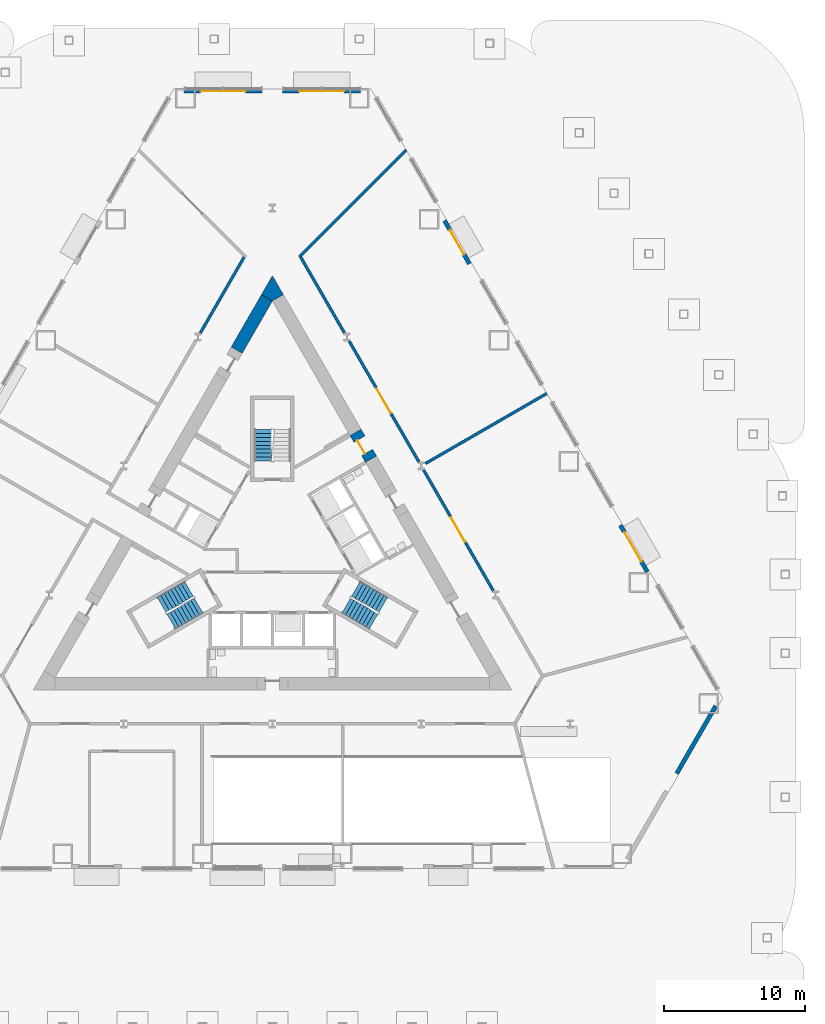
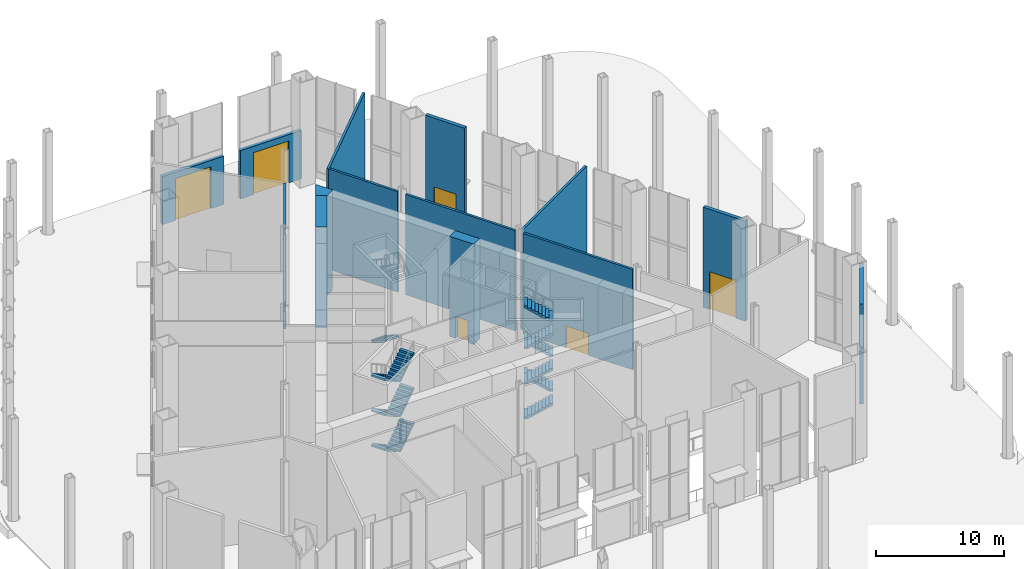
# One storey, part 13 of 18: 14 walls, 13 stair flights, 7 doors, 7 openings, 3 elements without a shape of their own.
"""IFC4 building model written with IfcOpenShell, lengths in metres."""

import ifcopenshell
import ifcopenshell.guid

model = None  # the IFC model being written
_history = None  # IfcOwnerHistory: only IFC2X3 demands one
_inside = {}  # id of a spatial element -> (the spatial element, [elements in it])
_under = {}  # id of a project, library or spatial element -> (it, [spatial elements below it])
_declared = {}  # id of a project -> (the project, [libraries it declares])
_typed = {}  # id of a type object -> (the type object, [elements of that type])
_made_of = {}  # id of a material, layer set ... -> (it, [elements and type objects made of it])


def new_model(schema):
    """Start an empty IFC model of exactly this schema.

    Asked for "IFC4X3", IfcOpenShell would pick the latest addendum, in which some entities
    have other attributes; the version numbers below select the first issue.
    IFC2X3 requires an IfcOwnerHistory on every rooted entity: one is made here for all.
    """
    global model, _history
    if schema == "IFC4X3":
        model = ifcopenshell.file(schema_version=(4, 3, 0, 0))
    else:
        model = ifcopenshell.file(schema=schema)
    _inside.clear()
    _under.clear()
    _declared.clear()
    _typed.clear()
    _made_of.clear()
    _history = None
    if model.schema == "IFC2X3":
        org = make("IfcOrganization", Name="unknown")
        user = make(
            "IfcPersonAndOrganization",
            ThePerson=make("IfcPerson", FamilyName="unknown"),
            TheOrganization=org,
        )
        app = make(
            "IfcApplication",
            ApplicationDeveloper=org,
            Version="unknown",
            ApplicationFullName="unknown",
            ApplicationIdentifier="unknown",
        )
        _history = make(
            "IfcOwnerHistory",
            OwningUser=user,
            OwningApplication=app,
            ChangeAction="ADDED",
            CreationDate=0,
        )
    return model


def make(cls, **values):
    """One entity of the class cls with the attributes given. An attribute that is None is left unset."""
    return model.create_entity(
        cls, **{name: value for name, value in values.items() if value is not None}
    )


def rooted(cls, **values):
    """An entity with a GlobalId (a new one), such as an element, a storey or a relation."""
    return make(cls, GlobalId=ifcopenshell.guid.new(), OwnerHistory=_history, **values)


def si_unit(unit_type, name, prefix=None):
    """IfcSIUnit, for example si_unit("LENGTHUNIT", "METRE", prefix="MILLI")."""
    return make("IfcSIUnit", UnitType=unit_type, Prefix=prefix, Name=name)


def assignment(units):
    """IfcUnitAssignment: the units of a project."""
    return None if units is None else make("IfcUnitAssignment", Units=units)


def point(xyz):
    """IfcCartesianPoint."""
    return None if xyz is None else make("IfcCartesianPoint", Coordinates=xyz)


def direction(xyz):
    """IfcDirection."""
    return None if xyz is None else make("IfcDirection", DirectionRatios=xyz)


def frame(location, z_axis=None, x_axis=None):
    """IfcAxis2Placement3D, a coordinate frame: its origin and axes. An axis left out is left unset."""
    return make(
        "IfcAxis2Placement3D",
        Location=point(location),
        Axis=direction(z_axis),
        RefDirection=direction(x_axis),
    )


def frame_2d(location, x_axis=None):
    """IfcAxis2Placement2D, a coordinate frame in the plane: its origin and x axis."""
    return make(
        "IfcAxis2Placement2D", Location=point(location), RefDirection=direction(x_axis)
    )


def origin():
    """The frame at (0, 0, 0) with its axes left unset."""
    return frame((0.0, 0.0, 0.0))


def place(relative_to, where):
    """IfcLocalPlacement: puts the frame where relative to a parent placement (None: the world)."""
    return make(
        "IfcLocalPlacement", PlacementRelTo=relative_to, RelativePlacement=where
    )


def context(
    kind, dimensions, precision=None, world=None, true_north=None, identifier=None
):
    """IfcGeometricRepresentationContext, for example the 3D "Model" context."""
    return make(
        "IfcGeometricRepresentationContext",
        ContextIdentifier=identifier,
        ContextType=kind,
        CoordinateSpaceDimension=dimensions,
        Precision=precision,
        WorldCoordinateSystem=world,
        TrueNorth=true_north,
    )


def subcontext(parent, identifier, kind, view, scale=None):
    """IfcGeometricRepresentationSubContext, for example "Body" below "Model"."""
    return make(
        "IfcGeometricRepresentationSubContext",
        ContextIdentifier=identifier,
        ContextType=kind,
        ParentContext=parent,
        TargetScale=scale,
        TargetView=view,
    )


def project(units=None, contexts=None):
    """IfcProject with its units and contexts."""
    return rooted(
        "IfcProject",
        Name="project",
        RepresentationContexts=contexts,
        UnitsInContext=assignment(units),
    )


def spatial(cls, under=None, at=None, **own):
    """A site, building, storey or space (cls), placed at a placement, below another one or the project."""
    s = rooted(cls, ObjectPlacement=at, **own)
    if under is not None:
        _under.setdefault(under.id(), (under, []))[1].append(s)
    return s


def polyline(points):
    """IfcPolyline through the points."""
    return make("IfcPolyline", Points=[point(p) for p in points])


def profile(cls, at=None, kind="AREA", **sizes):
    """A parametric profile (cls). Its sizes go by their IFC names, for example OverallWidth=200.0."""
    return make(cls, ProfileType=kind, Position=at, **sizes)


def rectangle(**sizes):
    """IfcRectangleProfileDef."""
    return profile("IfcRectangleProfileDef", **sizes)


def outline(outer, holes=None, kind="AREA"):
    """IfcArbitraryClosedProfileDef: a profile drawn as a closed curve; with holes, ...WithVoids."""
    if holes is None:
        return make("IfcArbitraryClosedProfileDef", ProfileType=kind, OuterCurve=outer)
    return make(
        "IfcArbitraryProfileDefWithVoids",
        ProfileType=kind,
        OuterCurve=outer,
        InnerCurves=holes,
    )


def extrude(swept, where, along, depth):
    """IfcExtrudedAreaSolid: the profile swept, set in the frame where, extruded along a direction by depth."""
    return make(
        "IfcExtrudedAreaSolid",
        SweptArea=swept,
        Position=where,
        ExtrudedDirection=direction(along),
        Depth=depth,
    )


def shape(context_of_items, identifier, shape_type, items):
    """IfcShapeRepresentation: the items that make up one representation, for example the "Body"."""
    return make(
        "IfcShapeRepresentation",
        ContextOfItems=context_of_items,
        RepresentationIdentifier=identifier,
        RepresentationType=shape_type,
        Items=items,
    )


def material(Name=None, Category=None):
    """IfcMaterial."""
    return make("IfcMaterial", Name=Name, Category=Category)


def layer(
    of_material, thickness, ventilated=None, Name=None, Category=None, Priority=None
):
    """IfcMaterialLayer: one layer of a wall or slab, of a material (None: an air gap)."""
    return make(
        "IfcMaterialLayer",
        Material=of_material,
        LayerThickness=thickness,
        IsVentilated=ventilated,
        Name=Name,
        Category=Category,
        Priority=Priority,
    )


def layer_set(layers, Name=None):
    """IfcMaterialLayerSet."""
    return make("IfcMaterialLayerSet", MaterialLayers=layers, LayerSetName=Name)


def made_of(thing, what):
    """Note that an element or type object is made of a material, layer set ...; save() writes the relation."""
    if what is not None:
        _made_of.setdefault(what.id(), (what, []))[1].append(thing)
    return thing


def type_object(cls, material=None, **own):
    """A type object (cls), such as IfcWallType, which elements share."""
    return made_of(rooted(cls, **own), material)


def element(
    cls,
    number,
    at=None,
    inside=None,
    cuts=None,
    type_object=None,
    material=None,
    context=None,
    identifier="Body",
    shape_type=None,
    held_by="IfcProductDefinitionShape",
    body=None,
    shapes=None,
    **own,
):
    """One element of the class cls, such as IfcWall. Its Tag is "e" and its number.

    at: its placement. inside: the storey or other place that contains it. cuts: it is an
    opening in that element (IfcRelVoidsElement). A single representation is given by context,
    identifier, shape_type and body (its items); several are given by shapes. held_by: the class
    of the entity that holds the representations. save() writes the other relations.
    """
    e = rooted(cls, Tag="e%d" % number, ObjectPlacement=at, **own)
    if body is not None:
        shapes = [shape(context, identifier, shape_type, body)]
    if shapes is not None:
        e.Representation = make(held_by, Representations=shapes)
    if inside is not None:
        _inside.setdefault(inside.id(), (inside, []))[1].append(e)
    if cuts is not None:
        rooted(
            "IfcRelVoidsElement", RelatingBuildingElement=cuts, RelatedOpeningElement=e
        )
    if type_object is not None:
        _typed.setdefault(type_object.id(), (type_object, []))[1].append(e)
    return made_of(e, material)


def fill(opening, filler):
    """IfcRelFillsElement: the door or window that sits in an opening."""
    return rooted(
        "IfcRelFillsElement",
        RelatingOpeningElement=opening,
        RelatedBuildingElement=filler,
    )


def aggregate(whole, parts):
    """IfcRelAggregates: a whole, such as a stair, and the parts it consists of."""
    return rooted("IfcRelAggregates", RelatingObject=whole, RelatedObjects=parts)


def save(model, path):
    """Write the relations noted so far, then the file.

    IfcRelAggregates (storeys below a building ...), IfcRelContainedInSpatialStructure (elements
    in a storey), IfcRelDefinesByType, IfcRelAssociatesMaterial and IfcRelDeclares: one each for
    every whole, place, type object, material and project.
    """
    for whole, parts in _under.values():
        aggregate(whole, parts)
    for where, things in _inside.values():
        rooted(
            "IfcRelContainedInSpatialStructure",
            RelatedElements=things,
            RelatingStructure=where,
        )
    for kind, things in _typed.values():
        rooted("IfcRelDefinesByType", RelatedObjects=things, RelatingType=kind)
    for what, things in _made_of.values():
        rooted("IfcRelAssociatesMaterial", RelatedObjects=things, RelatingMaterial=what)
    for by, libraries in _declared.values():
        rooted("IfcRelDeclares", RelatingContext=by, RelatedDefinitions=libraries)
    model.write(path)


model = new_model("IFC4")

# Units and contexts
model_context = context("Model", 3, precision=1e-05, world=origin(), true_north=direction((0.0, 1.0)))
body_context = subcontext(model_context, "Body", "Model", "MODEL_VIEW")
ifc_project = project(units=[si_unit("LENGTHUNIT", "METRE"), si_unit("AREAUNIT", "SQUARE_METRE"), si_unit("VOLUMEUNIT", "CUBIC_METRE"), si_unit("PLANEANGLEUNIT", "RADIAN"), si_unit("MASSUNIT", "GRAM", prefix="KILO")], contexts=[model_context])

# Site, building, storey
site_placement = place(None, origin())
site = spatial("IfcSite", under=ifc_project, at=site_placement, CompositionType="ELEMENT")
building_placement = place(site_placement, origin())
building = spatial("IfcBuilding", under=site, at=building_placement, Name="Cormorant Prow Tower", CompositionType="ELEMENT")
storey_placement = place(building_placement, origin())
storey = spatial("IfcBuildingStorey", under=building, at=storey_placement, Name="L00", CompositionType="ELEMENT", Elevation=0.0)

# Walls
ifc_material_1 = material(Name="Concrete 8000 psi", Category="concrete")
ifc_layer_1 = layer(ifc_material_1, 0.89990234375)
ifc_layer_set_1 = layer_set([ifc_layer_1], Name="Concrete 8000 psi")
wall_type_1 = type_object("IfcWallType", Name="Core shear wall 900", PredefinedType="SHEAR", material=ifc_layer_set_1)
wall_1_placement = place(storey_placement, frame((-0.3896484375, 18.054931640625, 0.0), z_axis=(0.0, 0.0, 1.0), x_axis=(-0.500014347272, -0.866017120224, 0.0)))
element("IfcWall", 1, at=wall_1_placement, inside=storey, type_object=wall_type_1, Name="Core wall", PredefinedType="SHEAR", context=body_context, shape_type="SweptSolid", body=[
    extrude(rectangle(XDim=4.295654296875, YDim=0.89990234375, at=frame_2d((2.14794921875, 0.0))), origin(), (0.0, 0.0, 1.0), 9.550048828125),
])
wall_2_placement = place(storey_placement, origin())
element("IfcWall", 2, at=wall_2_placement, inside=storey, type_object=wall_type_1, Name="Core wall corner", PredefinedType="SHEAR", context=body_context, shape_type="SweptSolid", body=[
    extrude(outline(polyline([(-0.779296875, 18.27978515625), (0.0, 19.6298828125), (0.779296875, 18.27978515625), (0.0, 17.829833984375), (-0.779296875, 18.27978515625)])), origin(), (0.0, 0.0, 1.0), 9.550048828125),
])

# Wall, opening, door
wall_3_placement = place(storey_placement, frame((7.01025390625, 6.587646484375, 0.0), z_axis=(0.0, 0.0, 1.0), x_axis=(-0.499946605688, 0.86605622881, 0.0)))
wall_3 = element("IfcWall", 3, at=wall_3_placement, inside=storey, type_object=wall_type_1, Name="Core wall door panel", PredefinedType="SHEAR", context=body_context, shape_type="SweptSolid", body=[
    extrude(rectangle(XDim=2.199951171875, YDim=0.89990234375, at=frame_2d((1.10009765625, 0.0))), origin(), (0.0, 0.0, 1.0), 9.550048828125),
])
opening_1_placement = place(wall_3_placement, frame((0.550048828125, 0.0, 0.0)))
opening_1 = element("IfcOpeningElement", 4, at=opening_1_placement, cuts=wall_3, Name="Opening L00-C22", PredefinedType="OPENING", context=body_context, shape_type="SweptSolid", body=[
    extrude(rectangle(XDim=1.10009765625, YDim=2.10009765625, at=frame_2d((0.550048828125, 1.050048828125))), frame((0.0, 0.4599609375, 0.0), z_axis=(0.0, -1.0, 0.0), x_axis=(1.0, 0.0, 0.0)), (0.0, 0.0, 1.0), 0.919921875),
])
ifc_material_2 = material(Name="Painted steel", Category="steel")
door_type_1 = type_object("IfcDoorType", Name="Core door 1100x2100", OperationType="NOTDEFINED", PredefinedType="DOOR", material=ifc_material_2)
door_1_placement = place(opening_1_placement, origin())
door_1 = element("IfcDoor", 5, at=door_1_placement, inside=storey, type_object=door_type_1, Name="Core door, lift lobby", OperationType="SINGLE_SWING_RIGHT", OverallHeight=2.10009765625, OverallWidth=1.10009765625, PredefinedType="DOOR", context=body_context, shape_type="SweptSolid", body=[
    extrude(rectangle(XDim=1.10009765625, YDim=2.10009765625, at=frame_2d((0.550048828125, 1.050048828125))), frame((0.0, 0.205078125, 0.0), z_axis=(0.0, -1.0, 0.0), x_axis=(1.0, 0.0, 0.0)), (0.0, 0.0, 1.0), 0.050048828125),
])
fill(opening_1, door_1)

# Wall
ifc_material_3 = material(Name="Gypsum board corridor wall")
ifc_layer_2 = layer(ifc_material_3, 0.199951171875)
ifc_layer_set_2 = layer_set([ifc_layer_2], Name="Gypsum board corridor wall")
wall_type_2 = type_object("IfcWallType", Name="Corridor wall 200", PredefinedType="PARTITIONING", material=ifc_layer_set_2)
wall_4_placement = place(storey_placement, frame((1.892333984375, 20.959228515625, 0.0), z_axis=(0.0, 0.0, 1.0), x_axis=(0.707390242945, 0.706823205749, 0.0)))
element("IfcWall", 6, at=wall_4_placement, inside=storey, type_object=wall_type_2, Name="Corridor wall", PredefinedType="PARTITIONING", context=body_context, shape_type="SweptSolid", body=[
    extrude(rectangle(XDim=10.763916015625, YDim=0.199951171875, at=frame_2d((5.3818359375, 0.0))), origin(), (0.0, 0.0, 1.0), 9.550048828125),
])

# Wall, opening, door
wall_5_placement = place(storey_placement, frame((10.74853515625, 5.812744140625, 0.0), z_axis=(0.0, 0.0, 1.0), x_axis=(0.500004292778, -0.866022925334, 0.0)))
wall_5 = element("IfcWall", 7, at=wall_5_placement, inside=storey, type_object=wall_type_2, Name="Corridor wall", PredefinedType="PARTITIONING", context=body_context, shape_type="SweptSolid", body=[
    extrude(rectangle(XDim=9.89794921875, YDim=0.199951171875, at=frame_2d((4.948974609375, 0.0))), origin(), (0.0, 0.0, 1.0), 9.550048828125),
])
opening_2_placement = place(wall_5_placement, frame((3.898193359375, 0.0, 0.0)))
opening_2 = element("IfcOpeningElement", 8, at=opening_2_placement, cuts=wall_5, Name="Opening L00-F05", PredefinedType="OPENING", context=body_context, shape_type="SweptSolid", body=[
    extrude(rectangle(XDim=2.0, YDim=2.10009765625, at=frame_2d((1.0, 1.050048828125))), frame((0.0, 0.10986328125, 0.0), z_axis=(0.0, -1.0, 0.0), x_axis=(1.0, 0.0, 0.0)), (0.0, 0.0, 1.0), 0.219970703125),
])
ifc_material_4 = material(Name="Glazed aluminium door", Category="aluminium")
door_type_2 = type_object("IfcDoorType", Name="Glazed double door 2000x2100", OperationType="DOUBLE_DOOR_SINGLE_SWING", PredefinedType="DOOR", material=ifc_material_4)
door_2_placement = place(opening_2_placement, origin())
door_2 = element("IfcDoor", 9, at=door_2_placement, inside=storey, type_object=door_type_2, Name="Retail unit door", OperationType="DOUBLE_DOOR_SINGLE_SWING", OverallHeight=2.10009765625, OverallWidth=2.0, PredefinedType="DOOR", context=body_context, shape_type="SweptSolid", body=[
    extrude(rectangle(XDim=2.0, YDim=2.10009765625, at=frame_2d((1.0, 1.050048828125))), frame((0.0, 0.02490234375, 0.0), z_axis=(0.0, -1.0, 0.0), x_axis=(1.0, 0.0, 0.0)), (0.0, 0.0, 1.0), 0.050048828125),
])
fill(opening_2, door_2)

wall_6_placement = place(storey_placement, frame((5.45947265625, 14.973876953125, 0.0), z_axis=(0.0, 0.0, 1.0), x_axis=(0.499985793049, -0.866033606016, 0.0)))
wall_6 = element("IfcWall", 10, at=wall_6_placement, inside=storey, type_object=wall_type_2, Name="Corridor wall", PredefinedType="PARTITIONING", context=body_context, shape_type="SweptSolid", body=[
    extrude(rectangle(XDim=9.897705078125, YDim=0.199951171875, at=frame_2d((4.94873046875, 0.0))), origin(), (0.0, 0.0, 1.0), 9.550048828125),
])
opening_3_placement = place(wall_6_placement, frame((3.898193359375, 0.0, 0.0)))
opening_3 = element("IfcOpeningElement", 11, at=opening_3_placement, cuts=wall_6, Name="Opening L00-F06", PredefinedType="OPENING", context=body_context, shape_type="SweptSolid", body=[
    extrude(rectangle(XDim=2.0, YDim=2.10009765625, at=frame_2d((1.0, 1.050048828125))), frame((0.0, 0.10986328125, 0.0), z_axis=(0.0, -1.0, 0.0), x_axis=(1.0, 0.0, 0.0)), (0.0, 0.0, 1.0), 0.219970703125),
])
door_3_placement = place(opening_3_placement, origin())
door_3 = element("IfcDoor", 12, at=door_3_placement, inside=storey, type_object=door_type_2, Name="Retail unit door", OperationType="DOUBLE_DOOR_SINGLE_SWING", OverallHeight=2.10009765625, OverallWidth=2.0, PredefinedType="DOOR", context=body_context, shape_type="SweptSolid", body=[
    extrude(rectangle(XDim=2.0, YDim=2.10009765625, at=frame_2d((1.0, 1.050048828125))), frame((0.0, 0.02490234375, 0.0), z_axis=(0.0, -1.0, 0.0), x_axis=(1.0, 0.0, 0.0)), (0.0, 0.0, 1.0), 0.050048828125),
])
fill(opening_3, door_3)

# Walls
for number, where, z_axis, x_axis, name in (
    (13, (-5.119140625, 15.5634765625, 0.0), (0.0, 0.0, 1.0), (0.500015016532, 0.866016733812, 0.0), "Corridor wall"),
    (14, (2.012939453125, 20.943359375, 0.0), (0.0, 0.0, 1.0), (0.500015016532, -0.866016733812, 0.0), "Corridor wall"),
):
    element("IfcWall", number, at=place(storey_placement, frame(where, z_axis=z_axis, x_axis=x_axis)), inside=storey, type_object=wall_type_2, Name=name, PredefinedType="PARTITIONING", context=body_context, shape_type="SweptSolid", body=[
        extrude(rectangle(XDim=6.212158203125, YDim=0.199951171875, at=frame_2d((3.10595703125, 0.0))), origin(), (0.0, 0.0, 1.0), 9.550048828125),
    ])
ifc_material_5 = material(Name="Gypsum board demising wall")
ifc_layer_3 = layer(ifc_material_5, 0.199951171875)
ifc_layer_set_3 = layer_set([ifc_layer_3], Name="Gypsum board demising wall")
wall_type_3 = type_object("IfcWallType", Name="Demising wall 200", PredefinedType="PARTITIONING", material=ifc_layer_set_3)
wall_7_placement = place(storey_placement, frame((10.873291015625, 6.277587890625, 0.0), z_axis=(0.0, 0.0, 1.0), x_axis=(0.866021920282, 0.500006033555, 0.0)))
element("IfcWall", 15, at=wall_7_placement, inside=storey, type_object=wall_type_3, Name="Demising wall", PredefinedType="PARTITIONING", context=body_context, shape_type="SweptSolid", body=[
    extrude(rectangle(XDim=9.96142578125, YDim=0.199951171875, at=frame_2d((4.980712890625, 0.0))), origin(), (0.0, 0.0, 1.0), 9.550048828125),
])
ifc_material_6 = material(Name="Terracotta", Category="masonry")
ifc_layer_4 = layer(ifc_material_6, 0.300048828125)
ifc_layer_set_4 = layer_set([ifc_layer_4], Name="Terracotta")
wall_type_4 = type_object("IfcWallType", Name="Terracotta portal wall 300", PredefinedType="SOLIDWALL", material=ifc_layer_set_4)
wall_8_placement = place(storey_placement, frame((28.735107421875, -15.747314453125, 0.0), z_axis=(0.0, 0.0, 1.0), x_axis=(0.499997108352, 0.866027073272, 0.0)))
element("IfcWall", 16, at=wall_8_placement, inside=storey, type_object=wall_type_4, Name="Terracotta corner wall ESE01", PredefinedType="SOLIDWALL", context=body_context, shape_type="SweptSolid", body=[
    extrude(rectangle(XDim=5.5400390625, YDim=0.300048828125, at=frame_2d((2.77001953125, 0.0))), origin(), (0.0, 0.0, 1.0), 9.550048828125),
])

# Wall, opening, door
wall_9_placement = place(storey_placement, frame((24.735107421875, 1.890869140625, 0.0), z_axis=(0.0, 0.0, 1.0), x_axis=(0.499973637274, -0.866040623776, 0.0)))
wall_9 = element("IfcWall", 17, at=wall_9_placement, inside=storey, type_object=wall_type_4, Name="Terracotta entrance wall ENE02", PredefinedType="SOLIDWALL", context=body_context, shape_type="SweptSolid", body=[
    extrude(rectangle(XDim=3.814208984375, YDim=0.300048828125, at=frame_2d((1.9072265625, 0.0))), origin(), (0.0, 0.0, 1.0), 9.550048828125),
])
opening_4_placement = place(wall_9_placement, frame((0.570068359375, 0.0, 0.0)))
opening_4 = element("IfcOpeningElement", 18, at=opening_4_placement, cuts=wall_9, Name="Opening ED00.06", PredefinedType="OPENING", context=body_context, shape_type="SweptSolid", body=[
    extrude(rectangle(XDim=2.39990234375, YDim=3.60009765625, at=frame_2d((1.199951171875, 1.800048828125))), frame((0.0, 0.159912109375, 0.0), z_axis=(0.0, -1.0, 0.0), x_axis=(1.0, 0.0, 0.0)), (0.0, 0.0, 1.0), 0.320068359375),
])
ifc_material_7 = material(Name="Aluminium 6063-T6", Category="aluminium")
door_type_3 = type_object("IfcDoorType", Name="Entrance door 2400x3600", OperationType="DOUBLE_DOOR_SINGLE_SWING", PredefinedType="DOOR", material=ifc_material_7)
door_4_placement = place(opening_4_placement, origin())
door_4 = element("IfcDoor", 19, at=door_4_placement, inside=storey, type_object=door_type_3, Name="Entrance door ENE02 ED00.06", OperationType="DOUBLE_DOOR_SINGLE_SWING", OverallHeight=3.60009765625, OverallWidth=2.39990234375, PredefinedType="DOOR", context=body_context, shape_type="SweptSolid", body=[
    extrude(rectangle(XDim=2.39990234375, YDim=3.60009765625, at=frame_2d((1.199951171875, 1.800048828125))), frame((0.0, 0.02490234375, 0.0), z_axis=(0.0, -1.0, 0.0), x_axis=(1.0, 0.0, 0.0)), (0.0, 0.0, 1.0), 0.050048828125),
])
fill(opening_4, door_4)

wall_10_placement = place(storey_placement, frame((12.235107421875, 23.54150390625, 0.0), z_axis=(0.0, 0.0, 1.0), x_axis=(0.500011000363, -0.866019052629, 0.0)))
wall_10 = element("IfcWall", 20, at=wall_10_placement, inside=storey, type_object=wall_type_4, Name="Terracotta entrance wall ENE07", PredefinedType="SOLIDWALL", context=body_context, shape_type="SweptSolid", body=[
    extrude(rectangle(XDim=3.5400390625, YDim=0.300048828125, at=frame_2d((1.77001953125, 0.0))), origin(), (0.0, 0.0, 1.0), 9.550048828125),
])
opening_5_placement = place(wall_10_placement, frame((0.77001953125, 0.0, 0.0)))
opening_5 = element("IfcOpeningElement", 21, at=opening_5_placement, cuts=wall_10, Name="Opening ED00.07", PredefinedType="OPENING", context=body_context, shape_type="SweptSolid", body=[
    extrude(rectangle(XDim=2.0, YDim=3.0, at=frame_2d((1.0, 1.5))), frame((0.0, 0.159912109375, 0.0), z_axis=(0.0, -1.0, 0.0), x_axis=(1.0, 0.0, 0.0)), (0.0, 0.0, 1.0), 0.320068359375),
])
ifc_material_8 = material(Name="Aluminium 6063-T6", Category="aluminium")
door_type_4 = type_object("IfcDoorType", Name="Retail entrance door 2000x3000", OperationType="DOUBLE_DOOR_SINGLE_SWING", PredefinedType="DOOR", material=ifc_material_8)
door_5_placement = place(opening_5_placement, origin())
door_5 = element("IfcDoor", 22, at=door_5_placement, inside=storey, type_object=door_type_4, Name="Retail entrance door ENE07 ED00.07", OperationType="DOUBLE_DOOR_SINGLE_SWING", OverallHeight=3.0, OverallWidth=2.0, PredefinedType="DOOR", context=body_context, shape_type="SweptSolid", body=[
    extrude(rectangle(XDim=2.0, YDim=3.0, at=frame_2d((1.0, 1.5))), frame((0.0, 0.02490234375, 0.0), z_axis=(0.0, -1.0, 0.0), x_axis=(1.0, 0.0, 0.0)), (0.0, 0.0, 1.0), 0.050048828125),
])
fill(opening_5, door_5)

wall_11_placement = place(storey_placement, frame((0.72998046875, 32.759033203125, 0.0), z_axis=(0.0, 0.0, 1.0), x_axis=(1.0, 0.0, 0.0)))
wall_11 = element("IfcWall", 23, at=wall_11_placement, inside=storey, type_object=wall_type_4, Name="Terracotta portal wall N00", PredefinedType="SOLIDWALL", context=body_context, shape_type="SweptSolid", body=[
    extrude(rectangle(XDim=5.5400390625, YDim=0.300048828125, at=frame_2d((2.77001953125, 0.0))), origin(), (0.0, 0.0, 1.0), 4.60009765625),
])
opening_6_placement = place(wall_11_placement, frame((1.169921875, 0.0, 0.0)))
opening_6 = element("IfcOpeningElement", 24, at=opening_6_placement, cuts=wall_11, Name="Opening ED00.08", PredefinedType="OPENING", context=body_context, shape_type="SweptSolid", body=[
    extrude(rectangle(XDim=3.199951171875, YDim=4.0, at=frame_2d((1.60009765625, 2.0))), frame((0.0, 0.159912109375, 0.0), z_axis=(0.0, -1.0, 0.0), x_axis=(1.0, 0.0, 0.0)), (0.0, 0.0, 1.0), 0.320068359375),
])
ifc_material_9 = material(Name="Aluminium 6063-T6", Category="aluminium")
door_type_5 = type_object("IfcDoorType", Name="Concourse portal door 3200x4000", OperationType="DOUBLE_DOOR_DOUBLE_SWING", PredefinedType="DOOR", material=ifc_material_9)
door_6_placement = place(opening_6_placement, origin())
door_6 = element("IfcDoor", 25, at=door_6_placement, inside=storey, type_object=door_type_5, Name="Concourse portal door N00 ED00.08", OperationType="DOUBLE_DOOR_DOUBLE_SWING", OverallHeight=4.0, OverallWidth=3.199951171875, PredefinedType="DOOR", context=body_context, shape_type="SweptSolid", body=[
    extrude(rectangle(XDim=3.199951171875, YDim=4.0, at=frame_2d((1.60009765625, 2.0))), frame((0.0, 0.02490234375, 0.0), z_axis=(0.0, -1.0, 0.0), x_axis=(1.0, 0.0, 0.0)), (0.0, 0.0, 1.0), 0.050048828125),
])
fill(opening_6, door_6)

wall_12_placement = place(storey_placement, frame((-6.27001953125, 32.759033203125, 0.0), z_axis=(0.0, 0.0, 1.0), x_axis=(1.0, 0.0, 0.0)))
wall_12 = element("IfcWall", 26, at=wall_12_placement, inside=storey, type_object=wall_type_4, Name="Terracotta portal wall N01", PredefinedType="SOLIDWALL", context=body_context, shape_type="SweptSolid", body=[
    extrude(rectangle(XDim=5.5400390625, YDim=0.300048828125, at=frame_2d((2.77001953125, 0.0))), origin(), (0.0, 0.0, 1.0), 4.60009765625),
])
opening_7_placement = place(wall_12_placement, frame((1.169921875, 0.0, 0.0)))
opening_7 = element("IfcOpeningElement", 27, at=opening_7_placement, cuts=wall_12, Name="Opening ED00.09", PredefinedType="OPENING", context=body_context, shape_type="SweptSolid", body=[
    extrude(rectangle(XDim=3.199951171875, YDim=4.0, at=frame_2d((1.60009765625, 2.0))), frame((0.0, 0.159912109375, 0.0), z_axis=(0.0, -1.0, 0.0), x_axis=(1.0, 0.0, 0.0)), (0.0, 0.0, 1.0), 0.320068359375),
])
door_7_placement = place(opening_7_placement, origin())
door_7 = element("IfcDoor", 28, at=door_7_placement, inside=storey, type_object=door_type_5, Name="Concourse portal door N01 ED00.09", OperationType="DOUBLE_DOOR_DOUBLE_SWING", OverallHeight=4.0, OverallWidth=3.199951171875, PredefinedType="DOOR", context=body_context, shape_type="SweptSolid", body=[
    extrude(rectangle(XDim=3.199951171875, YDim=4.0, at=frame_2d((1.60009765625, 2.0))), frame((0.0, 0.02490234375, 0.0), z_axis=(0.0, -1.0, 0.0), x_axis=(1.0, 0.0, 0.0)), (0.0, 0.0, 1.0), 0.050048828125),
])
fill(opening_7, door_7)

# Stair, stair flights
ifc_material_10 = material(Name="Exit stair 54 risers")
stair_type = type_object("IfcStairType", Name="Exit stair 54 risers", PredefinedType="HALF_TURN_STAIR", material=ifc_material_10)
stair_1_placement = place(storey_placement, origin())
stair_1 = element("IfcStair", 29, at=stair_1_placement, inside=storey, type_object=stair_type, Name="L00 Exit stair ST1", PredefinedType="HALF_TURN_STAIR")
ifc_material_11 = material(Name="Concrete 5000 psi", Category="concrete")
stair_flight_type = type_object("IfcStairFlightType", Name="Stair flight 1219", PredefinedType="STRAIGHT", material=ifc_material_11)
stair_flight_1_placement = place(storey_placement, frame((-5.93310546875, -2.635009765625, 0.0), z_axis=(0.0, 0.0, 1.0), x_axis=(-0.866025403784, -0.5, 0.0)))
stair_flight_1 = element("IfcStairFlight", 30, at=stair_flight_1_placement, type_object=stair_flight_type, Name="ST1 flight 1", NumberOfRisers=9, NumberOfTreads=8, PredefinedType="STRAIGHT", RiserHeight=0.185185185, TreadLength=0.28, context=body_context, shape_type="SweptSolid", body=[
    extrude(outline(polyline([(0.0, 0.0), (0.0, 0.185302734375), (0.280029296875, 0.185302734375), (0.280029296875, 0.370361328125), (0.56005859375, 0.370361328125), (0.56005859375, 0.5556640625), (0.840087890625, 0.5556640625), (0.840087890625, 0.74072265625), (1.1201171875, 0.74072265625), (1.1201171875, 0.926025390625), (1.39990234375, 0.926025390625), (1.39990234375, 1.111083984375), (1.679931640625, 1.111083984375), (1.679931640625, 1.29638671875), (1.9599609375, 1.29638671875), (1.9599609375, 1.4814453125), (2.239990234375, 1.4814453125), (2.239990234375, 1.666748046875), (2.239990234375, 1.3017578125), (0.271728515625, 0.0), (0.0, 0.0)])), frame((0.0, 0.609375, 0.0), z_axis=(0.0, -1.0, 0.0), x_axis=(1.0, 0.0, 0.0)), (0.0, 0.0, 1.0), 1.218994140625),
])
stair_flight_2_placement = place(storey_placement, frame((-7.1884765625, -4.940673828125, 1.666748046875), z_axis=(0.0, 0.0, 1.0), x_axis=(0.866025403784, 0.5, 0.0)))
stair_flight_2 = element("IfcStairFlight", 31, at=stair_flight_2_placement, type_object=stair_flight_type, Name="ST1 flight 2", NumberOfRisers=9, NumberOfTreads=8, PredefinedType="STRAIGHT", RiserHeight=0.185185185, TreadLength=0.28, context=body_context, shape_type="SweptSolid", body=[
    extrude(outline(polyline([(0.0, 0.0), (0.0, 0.185302734375), (0.280029296875, 0.185302734375), (0.280029296875, 0.370361328125), (0.56005859375, 0.370361328125), (0.56005859375, 0.5556640625), (0.840087890625, 0.5556640625), (0.840087890625, 0.74072265625), (1.1201171875, 0.74072265625), (1.1201171875, 0.926025390625), (1.39990234375, 0.926025390625), (1.39990234375, 1.111083984375), (1.679931640625, 1.111083984375), (1.679931640625, 1.29638671875), (1.9599609375, 1.29638671875), (1.9599609375, 1.4814453125), (2.239990234375, 1.4814453125), (2.239990234375, 1.666748046875), (2.239990234375, 1.3017578125), (0.271728515625, 0.0), (0.0, 0.0)])), frame((0.0, 0.609375, 0.0), z_axis=(0.0, -1.0, 0.0), x_axis=(1.0, 0.0, 0.0)), (0.0, 0.0, 1.0), 1.218994140625),
])
stair_flight_3_placement = place(storey_placement, frame((-5.93310546875, -2.635009765625, 3.333251953125), z_axis=(0.0, 0.0, 1.0), x_axis=(-0.866025403784, -0.5, 0.0)))
stair_flight_3 = element("IfcStairFlight", 32, at=stair_flight_3_placement, type_object=stair_flight_type, Name="ST1 flight 3", NumberOfRisers=9, NumberOfTreads=8, PredefinedType="STRAIGHT", RiserHeight=0.185185185, TreadLength=0.28, context=body_context, shape_type="SweptSolid", body=[
    extrude(outline(polyline([(0.0, 0.0), (0.0, 0.185302734375), (0.280029296875, 0.185302734375), (0.280029296875, 0.370361328125), (0.56005859375, 0.370361328125), (0.56005859375, 0.5556640625), (0.840087890625, 0.5556640625), (0.840087890625, 0.74072265625), (1.1201171875, 0.74072265625), (1.1201171875, 0.926025390625), (1.39990234375, 0.926025390625), (1.39990234375, 1.111083984375), (1.679931640625, 1.111083984375), (1.679931640625, 1.29638671875), (1.9599609375, 1.29638671875), (1.9599609375, 1.4814453125), (2.239990234375, 1.4814453125), (2.239990234375, 1.666748046875), (2.239990234375, 1.3017578125), (0.271728515625, 0.0), (0.0, 0.0)])), frame((0.0, 0.609375, 0.0), z_axis=(0.0, -1.0, 0.0), x_axis=(1.0, 0.0, 0.0)), (0.0, 0.0, 1.0), 1.218994140625),
])
stair_flight_4_placement = place(storey_placement, frame((-7.1884765625, -4.940673828125, 5.0), z_axis=(0.0, 0.0, 1.0), x_axis=(0.866025403784, 0.5, 0.0)))
stair_flight_4 = element("IfcStairFlight", 33, at=stair_flight_4_placement, type_object=stair_flight_type, Name="ST1 flight 4", NumberOfRisers=9, NumberOfTreads=8, PredefinedType="STRAIGHT", RiserHeight=0.185185185, TreadLength=0.28, context=body_context, shape_type="SweptSolid", body=[
    extrude(outline(polyline([(0.0, 0.0), (0.0, 0.185302734375), (0.280029296875, 0.185302734375), (0.280029296875, 0.370361328125), (0.56005859375, 0.370361328125), (0.56005859375, 0.5556640625), (0.840087890625, 0.5556640625), (0.840087890625, 0.74072265625), (1.1201171875, 0.74072265625), (1.1201171875, 0.926025390625), (1.39990234375, 0.926025390625), (1.39990234375, 1.111083984375), (1.679931640625, 1.111083984375), (1.679931640625, 1.29638671875), (1.9599609375, 1.29638671875), (1.9599609375, 1.4814453125), (2.239990234375, 1.4814453125), (2.239990234375, 1.666748046875), (2.239990234375, 1.3017578125), (0.271728515625, 0.0), (0.0, 0.0)])), frame((0.0, 0.609375, 0.0), z_axis=(0.0, -1.0, 0.0), x_axis=(1.0, 0.0, 0.0)), (0.0, 0.0, 1.0), 1.218994140625),
])
stair_flight_5_placement = place(storey_placement, frame((-5.93310546875, -2.635009765625, 6.666748046875), z_axis=(0.0, 0.0, 1.0), x_axis=(-0.866025403784, -0.5, 0.0)))
stair_flight_5 = element("IfcStairFlight", 34, at=stair_flight_5_placement, type_object=stair_flight_type, Name="ST1 flight 5", NumberOfRisers=9, NumberOfTreads=8, PredefinedType="STRAIGHT", RiserHeight=0.185185185, TreadLength=0.28, context=body_context, shape_type="SweptSolid", body=[
    extrude(outline(polyline([(0.0, 0.0), (0.0, 0.185302734375), (0.280029296875, 0.185302734375), (0.280029296875, 0.370361328125), (0.56005859375, 0.370361328125), (0.56005859375, 0.5556640625), (0.840087890625, 0.5556640625), (0.840087890625, 0.74072265625), (1.1201171875, 0.74072265625), (1.1201171875, 0.926025390625), (1.39990234375, 0.926025390625), (1.39990234375, 1.111083984375), (1.679931640625, 1.111083984375), (1.679931640625, 1.29638671875), (1.9599609375, 1.29638671875), (1.9599609375, 1.4814453125), (2.239990234375, 1.4814453125), (2.239990234375, 1.666748046875), (2.239990234375, 1.3017578125), (0.271728515625, 0.0), (0.0, 0.0)])), frame((0.0, 0.609375, 0.0), z_axis=(0.0, -1.0, 0.0), x_axis=(1.0, 0.0, 0.0)), (0.0, 0.0, 1.0), 1.218994140625),
])
stair_flight_6_placement = place(storey_placement, frame((-7.1884765625, -4.940673828125, 8.333251953125), z_axis=(0.0, 0.0, 1.0), x_axis=(0.866025403784, 0.5, 0.0)))
stair_flight_6 = element("IfcStairFlight", 35, at=stair_flight_6_placement, type_object=stair_flight_type, Name="ST1 flight 6", NumberOfRisers=9, NumberOfTreads=8, PredefinedType="STRAIGHT", RiserHeight=0.185185185, TreadLength=0.28, context=body_context, shape_type="SweptSolid", body=[
    extrude(outline(polyline([(0.0, 0.0), (0.0, 0.185302734375), (0.280029296875, 0.185302734375), (0.280029296875, 0.370361328125), (0.56005859375, 0.370361328125), (0.56005859375, 0.5556640625), (0.840087890625, 0.5556640625), (0.840087890625, 0.74072265625), (1.1201171875, 0.74072265625), (1.1201171875, 0.926025390625), (1.39990234375, 0.926025390625), (1.39990234375, 1.111083984375), (1.679931640625, 1.111083984375), (1.679931640625, 1.29638671875), (1.9599609375, 1.29638671875), (1.9599609375, 1.4814453125), (2.239990234375, 1.4814453125), (2.239990234375, 1.666748046875), (2.239990234375, 1.3017578125), (0.271728515625, 0.0), (0.0, 0.0)])), frame((0.0, 0.609375, 0.0), z_axis=(0.0, -1.0, 0.0), x_axis=(1.0, 0.0, 0.0)), (0.0, 0.0, 1.0), 1.218994140625),
])
aggregate(stair_1, [stair_flight_1, stair_flight_2, stair_flight_3, stair_flight_4, stair_flight_5, stair_flight_6])

stair_2_placement = place(storey_placement, origin())
stair_2 = element("IfcStair", 36, at=stair_2_placement, inside=storey, type_object=stair_type, Name="L00 Exit stair ST2", PredefinedType="HALF_TURN_STAIR")
stair_flight_7_placement = place(storey_placement, frame((5.24853515625, -3.82080078125, 0.0), z_axis=(0.0, 0.0, 1.0), x_axis=(0.866025403784, -0.5, 0.0)))
stair_flight_7 = element("IfcStairFlight", 37, at=stair_flight_7_placement, type_object=stair_flight_type, Name="ST2 flight 1", NumberOfRisers=9, NumberOfTreads=8, PredefinedType="STRAIGHT", RiserHeight=0.185185185, TreadLength=0.28, context=body_context, shape_type="SweptSolid", body=[
    extrude(outline(polyline([(0.0, 0.0), (0.0, 0.185302734375), (0.280029296875, 0.185302734375), (0.280029296875, 0.370361328125), (0.56005859375, 0.370361328125), (0.56005859375, 0.5556640625), (0.840087890625, 0.5556640625), (0.840087890625, 0.74072265625), (1.1201171875, 0.74072265625), (1.1201171875, 0.926025390625), (1.39990234375, 0.926025390625), (1.39990234375, 1.111083984375), (1.679931640625, 1.111083984375), (1.679931640625, 1.29638671875), (1.9599609375, 1.29638671875), (1.9599609375, 1.4814453125), (2.239990234375, 1.4814453125), (2.239990234375, 1.666748046875), (2.239990234375, 1.3017578125), (0.271728515625, 0.0), (0.0, 0.0)])), frame((0.0, 0.609375, 0.0), z_axis=(0.0, -1.0, 0.0), x_axis=(1.0, 0.0, 0.0)), (0.0, 0.0, 1.0), 1.218994140625),
])
stair_flight_8_placement = place(storey_placement, frame((7.873046875, -3.755126953125, 1.666748046875), z_axis=(0.0, 0.0, 1.0), x_axis=(-0.866025403784, 0.5, 0.0)))
stair_flight_8 = element("IfcStairFlight", 38, at=stair_flight_8_placement, type_object=stair_flight_type, Name="ST2 flight 2", NumberOfRisers=9, NumberOfTreads=8, PredefinedType="STRAIGHT", RiserHeight=0.185185185, TreadLength=0.28, context=body_context, shape_type="SweptSolid", body=[
    extrude(outline(polyline([(0.0, 0.0), (0.0, 0.185302734375), (0.280029296875, 0.185302734375), (0.280029296875, 0.370361328125), (0.56005859375, 0.370361328125), (0.56005859375, 0.5556640625), (0.840087890625, 0.5556640625), (0.840087890625, 0.74072265625), (1.1201171875, 0.74072265625), (1.1201171875, 0.926025390625), (1.39990234375, 0.926025390625), (1.39990234375, 1.111083984375), (1.679931640625, 1.111083984375), (1.679931640625, 1.29638671875), (1.9599609375, 1.29638671875), (1.9599609375, 1.4814453125), (2.239990234375, 1.4814453125), (2.239990234375, 1.666748046875), (2.239990234375, 1.3017578125), (0.271728515625, 0.0), (0.0, 0.0)])), frame((0.0, 0.609375, 0.0), z_axis=(0.0, -1.0, 0.0), x_axis=(1.0, 0.0, 0.0)), (0.0, 0.0, 1.0), 1.218994140625),
])
stair_flight_9_placement = place(storey_placement, frame((5.24853515625, -3.82080078125, 3.333251953125), z_axis=(0.0, 0.0, 1.0), x_axis=(0.866025403784, -0.5, 0.0)))
stair_flight_9 = element("IfcStairFlight", 39, at=stair_flight_9_placement, type_object=stair_flight_type, Name="ST2 flight 3", NumberOfRisers=9, NumberOfTreads=8, PredefinedType="STRAIGHT", RiserHeight=0.185185185, TreadLength=0.28, context=body_context, shape_type="SweptSolid", body=[
    extrude(outline(polyline([(0.0, 0.0), (0.0, 0.185302734375), (0.280029296875, 0.185302734375), (0.280029296875, 0.370361328125), (0.56005859375, 0.370361328125), (0.56005859375, 0.5556640625), (0.840087890625, 0.5556640625), (0.840087890625, 0.74072265625), (1.1201171875, 0.74072265625), (1.1201171875, 0.926025390625), (1.39990234375, 0.926025390625), (1.39990234375, 1.111083984375), (1.679931640625, 1.111083984375), (1.679931640625, 1.29638671875), (1.9599609375, 1.29638671875), (1.9599609375, 1.4814453125), (2.239990234375, 1.4814453125), (2.239990234375, 1.666748046875), (2.239990234375, 1.3017578125), (0.271728515625, 0.0), (0.0, 0.0)])), frame((0.0, 0.609375, 0.0), z_axis=(0.0, -1.0, 0.0), x_axis=(1.0, 0.0, 0.0)), (0.0, 0.0, 1.0), 1.218994140625),
])
stair_flight_10_placement = place(storey_placement, frame((7.873046875, -3.755126953125, 5.0), z_axis=(0.0, 0.0, 1.0), x_axis=(-0.866025403784, 0.5, 0.0)))
stair_flight_10 = element("IfcStairFlight", 40, at=stair_flight_10_placement, type_object=stair_flight_type, Name="ST2 flight 4", NumberOfRisers=9, NumberOfTreads=8, PredefinedType="STRAIGHT", RiserHeight=0.185185185, TreadLength=0.28, context=body_context, shape_type="SweptSolid", body=[
    extrude(outline(polyline([(0.0, 0.0), (0.0, 0.185302734375), (0.280029296875, 0.185302734375), (0.280029296875, 0.370361328125), (0.56005859375, 0.370361328125), (0.56005859375, 0.5556640625), (0.840087890625, 0.5556640625), (0.840087890625, 0.74072265625), (1.1201171875, 0.74072265625), (1.1201171875, 0.926025390625), (1.39990234375, 0.926025390625), (1.39990234375, 1.111083984375), (1.679931640625, 1.111083984375), (1.679931640625, 1.29638671875), (1.9599609375, 1.29638671875), (1.9599609375, 1.4814453125), (2.239990234375, 1.4814453125), (2.239990234375, 1.666748046875), (2.239990234375, 1.3017578125), (0.271728515625, 0.0), (0.0, 0.0)])), frame((0.0, 0.609375, 0.0), z_axis=(0.0, -1.0, 0.0), x_axis=(1.0, 0.0, 0.0)), (0.0, 0.0, 1.0), 1.218994140625),
])
stair_flight_11_placement = place(storey_placement, frame((5.24853515625, -3.82080078125, 6.666748046875), z_axis=(0.0, 0.0, 1.0), x_axis=(0.866025403784, -0.5, 0.0)))
stair_flight_11 = element("IfcStairFlight", 41, at=stair_flight_11_placement, type_object=stair_flight_type, Name="ST2 flight 5", NumberOfRisers=9, NumberOfTreads=8, PredefinedType="STRAIGHT", RiserHeight=0.185185185, TreadLength=0.28, context=body_context, shape_type="SweptSolid", body=[
    extrude(outline(polyline([(0.0, 0.0), (0.0, 0.185302734375), (0.280029296875, 0.185302734375), (0.280029296875, 0.370361328125), (0.56005859375, 0.370361328125), (0.56005859375, 0.5556640625), (0.840087890625, 0.5556640625), (0.840087890625, 0.74072265625), (1.1201171875, 0.74072265625), (1.1201171875, 0.926025390625), (1.39990234375, 0.926025390625), (1.39990234375, 1.111083984375), (1.679931640625, 1.111083984375), (1.679931640625, 1.29638671875), (1.9599609375, 1.29638671875), (1.9599609375, 1.4814453125), (2.239990234375, 1.4814453125), (2.239990234375, 1.666748046875), (2.239990234375, 1.3017578125), (0.271728515625, 0.0), (0.0, 0.0)])), frame((0.0, 0.609375, 0.0), z_axis=(0.0, -1.0, 0.0), x_axis=(1.0, 0.0, 0.0)), (0.0, 0.0, 1.0), 1.218994140625),
])
stair_flight_12_placement = place(storey_placement, frame((7.873046875, -3.755126953125, 8.333251953125), z_axis=(0.0, 0.0, 1.0), x_axis=(-0.866025403784, 0.5, 0.0)))
stair_flight_12 = element("IfcStairFlight", 42, at=stair_flight_12_placement, type_object=stair_flight_type, Name="ST2 flight 6", NumberOfRisers=9, NumberOfTreads=8, PredefinedType="STRAIGHT", RiserHeight=0.185185185, TreadLength=0.28, context=body_context, shape_type="SweptSolid", body=[
    extrude(outline(polyline([(0.0, 0.0), (0.0, 0.185302734375), (0.280029296875, 0.185302734375), (0.280029296875, 0.370361328125), (0.56005859375, 0.370361328125), (0.56005859375, 0.5556640625), (0.840087890625, 0.5556640625), (0.840087890625, 0.74072265625), (1.1201171875, 0.74072265625), (1.1201171875, 0.926025390625), (1.39990234375, 0.926025390625), (1.39990234375, 1.111083984375), (1.679931640625, 1.111083984375), (1.679931640625, 1.29638671875), (1.9599609375, 1.29638671875), (1.9599609375, 1.4814453125), (2.239990234375, 1.4814453125), (2.239990234375, 1.666748046875), (2.239990234375, 1.3017578125), (0.271728515625, 0.0), (0.0, 0.0)])), frame((0.0, 0.609375, 0.0), z_axis=(0.0, -1.0, 0.0), x_axis=(1.0, 0.0, 0.0)), (0.0, 0.0, 1.0), 1.218994140625),
])
aggregate(stair_2, [stair_flight_7, stair_flight_8, stair_flight_9, stair_flight_10, stair_flight_11, stair_flight_12])

# Stair, stair flight
stair_3_placement = place(storey_placement, origin())
stair_3 = element("IfcStair", 43, at=stair_3_placement, inside=storey, type_object=stair_type, Name="L00 Exit stair ST3", PredefinedType="HALF_TURN_STAIR")
stair_flight_13_placement = place(storey_placement, frame((-0.6845703125, 8.69580078125, 1.666748046875), z_axis=(0.0, 0.0, 1.0), x_axis=(0.0, -1.0, 0.0)))
stair_flight_13 = element("IfcStairFlight", 44, at=stair_flight_13_placement, type_object=stair_flight_type, Name="ST3 flight 2", NumberOfRisers=9, NumberOfTreads=8, PredefinedType="STRAIGHT", RiserHeight=0.185185185, TreadLength=0.28, context=body_context, shape_type="SweptSolid", body=[
    extrude(outline(polyline([(0.0, 0.0), (0.0, 0.185302734375), (0.280029296875, 0.185302734375), (0.280029296875, 0.370361328125), (0.56005859375, 0.370361328125), (0.56005859375, 0.5556640625), (0.840087890625, 0.5556640625), (0.840087890625, 0.74072265625), (1.1201171875, 0.74072265625), (1.1201171875, 0.926025390625), (1.39990234375, 0.926025390625), (1.39990234375, 1.111083984375), (1.679931640625, 1.111083984375), (1.679931640625, 1.29638671875), (1.9599609375, 1.29638671875), (1.9599609375, 1.4814453125), (2.239990234375, 1.4814453125), (2.239990234375, 1.666748046875), (2.239990234375, 1.3017578125), (0.271728515625, 0.0), (0.0, 0.0)])), frame((0.0, 0.609375, 0.0), z_axis=(0.0, -1.0, 0.0), x_axis=(1.0, 0.0, 0.0)), (0.0, 0.0, 1.0), 1.218994140625),
])
aggregate(stair_3, [stair_flight_13])

save(model, "model.ifc")
